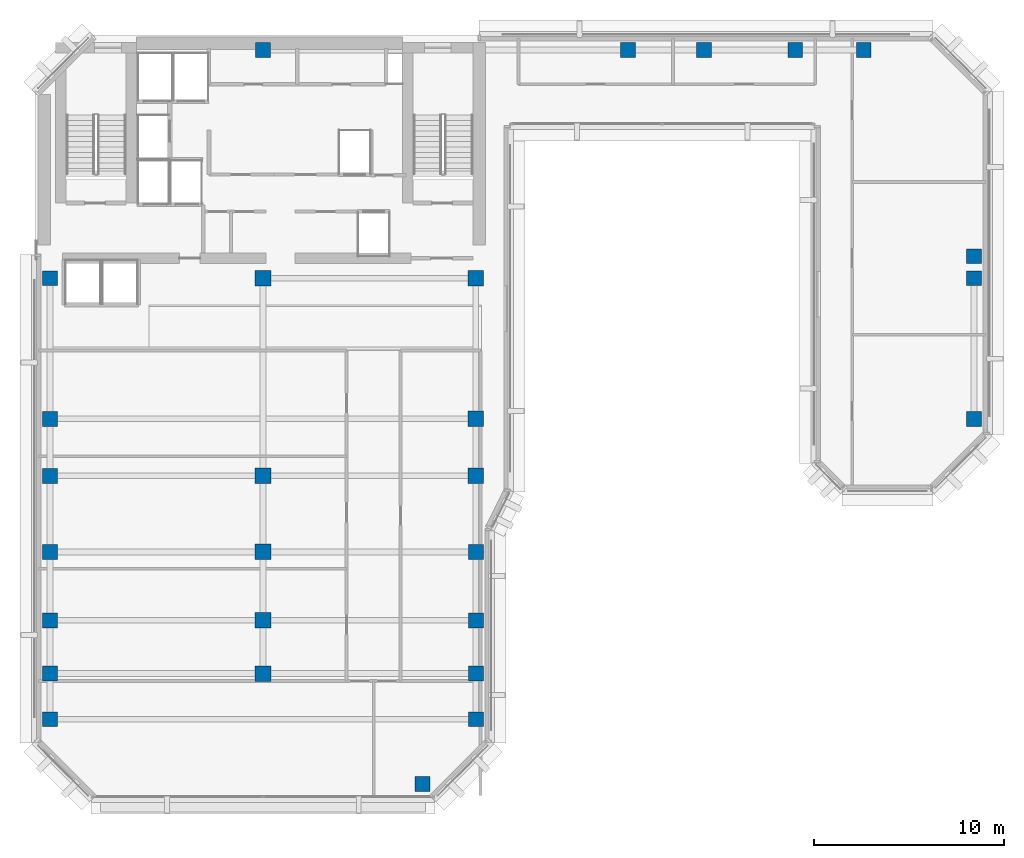
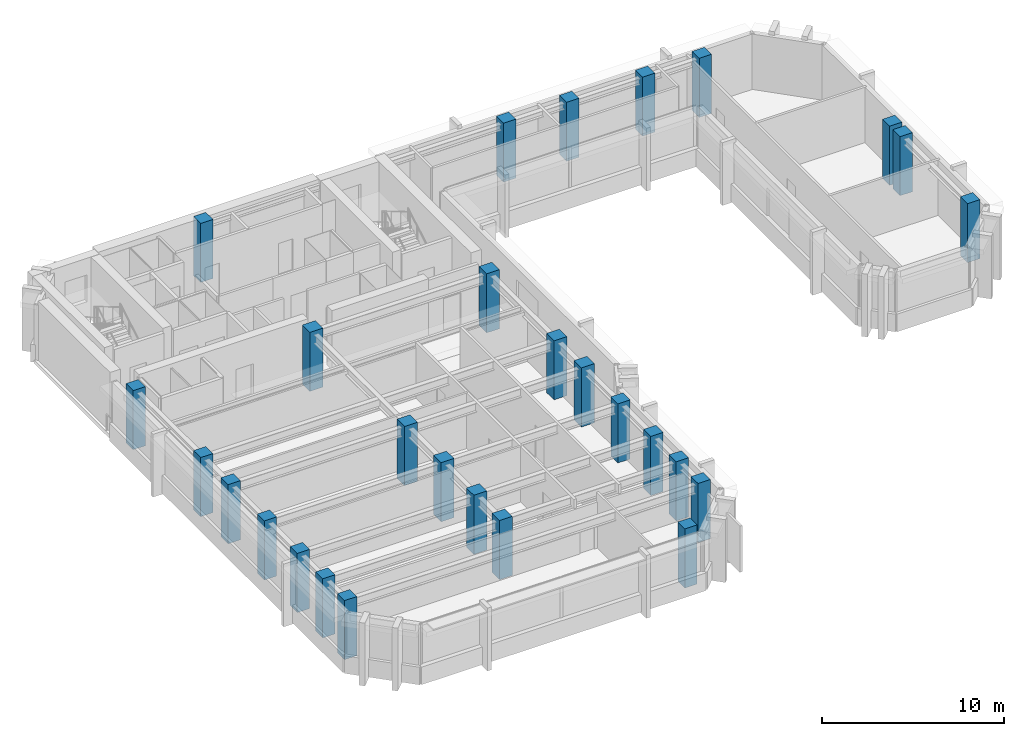
# One storey, part 1 of 11: 28 columns.
"""IFC4 building model written with IfcOpenShell, lengths in metres."""

from ifc_helpers import new_model, si_unit, direction, frame, origin, origin_2d, place, context, subcontext, project, spatial, rectangle, extrude, material, material_profile, profile_set, type_object, element, save


model = new_model("IFC4")

# Units and contexts
model_context = context("Model", 3, precision=1e-05, world=origin(), true_north=direction((0.0, 1.0)))
body_context = subcontext(model_context, "Body", "Model", "MODEL_VIEW")
ifc_project = project(units=[si_unit("LENGTHUNIT", "METRE"), si_unit("AREAUNIT", "SQUARE_METRE"), si_unit("VOLUMEUNIT", "CUBIC_METRE"), si_unit("PLANEANGLEUNIT", "RADIAN"), si_unit("MASSUNIT", "GRAM", prefix="KILO")], contexts=[model_context])

# Site, building, storey
site_placement = place(None, origin())
site = spatial("IfcSite", under=ifc_project, at=site_placement, CompositionType="ELEMENT")
building_placement = place(site_placement, origin())
building = spatial("IfcBuilding", under=site, at=building_placement, Name="Kefirva Bronze Tower", CompositionType="ELEMENT")
storey_placement = place(building_placement, frame((0.0, 0.0, 223.739990234375)))
storey = spatial("IfcBuildingStorey", under=building, at=storey_placement, Name="L54", CompositionType="ELEMENT", Elevation=223.739990234375)

# Columns
ifc_material = material(Name="Concrete C50/60", Category="concrete")
ifc_material_profile_1 = material_profile(ifc_material, rectangle(XDim=0.780029296875, YDim=0.780029296875, at=origin_2d()), Name="RC 780x780")
ifc_profile_set_1 = profile_set([ifc_material_profile_1], Name="Concrete C50/60")
column_type_1 = type_object("IfcColumnType", Name="RC Column 780x780 Ext", PredefinedType="COLUMN", material=ifc_profile_set_1)
for number, where, z_axis, x_axis, name in (
    (1, (0.800048828125, 10.0, 0.0), (0.0, 0.0, 1.0), (1.0, 0.0, 0.0), "L54 Column C008_100"),
    (2, (0.800048828125, 12.39990234375, 0.0), (0.0, 0.0, 1.0), (1.0, 0.0, 0.0), "L54 Column C008_124"),
    (3, (0.800048828125, 15.199951171875, 0.0), (0.0, 0.0, 1.0), (1.0, 0.0, 0.0), "L54 Column C008_152"),
    (4, (0.800048828125, 18.800048828125, 0.0), (0.0, 0.0, 1.0), (1.0, 0.0, 0.0), "L54 Column C008_188"),
    (5, (0.800048828125, 22.800048828125, 0.0), (0.0, 0.0, 1.0), (1.0, 0.0, 0.0), "L54 Column C008_228"),
    (6, (0.800048828125, 25.800048828125, 0.0), (0.0, 0.0, 1.0), (1.0, 0.0, 0.0), "L54 Column C008_258"),
    (7, (0.800048828125, 33.199951171875, 0.0), (0.0, 0.0, 1.0), (1.0, 0.0, 0.0), "L54 Column C008_332"),
    (8, (12.0, 45.199951171875, 0.0), (0.0, 0.0, 1.0), (1.0, 0.0, 0.0), "L54 Column C120_452"),
    (9, (20.39990234375, 6.60009765625, 0.0), (0.0, 0.0, 1.0), (1.0, 0.0, 0.0), "L54 Column C204_066"),
    (10, (23.199951171875, 10.0, 0.0), (0.0, 0.0, 1.0), (1.0, 0.0, 0.0), "L54 Column C232_100"),
    (11, (23.199951171875, 12.39990234375, 0.0), (0.0, 0.0, 1.0), (1.0, 0.0, 0.0), "L54 Column C232_124"),
    (12, (23.199951171875, 15.199951171875, 0.0), (0.0, 0.0, 1.0), (1.0, 0.0, 0.0), "L54 Column C232_152"),
    (13, (23.199951171875, 18.800048828125, 0.0), (0.0, 0.0, 1.0), (1.0, 0.0, 0.0), "L54 Column C232_188"),
    (14, (31.199951171875, 45.199951171875, 0.0), (0.0, 0.0, 1.0), (1.0, 0.0, 0.0), "L54 Column C312_452"),
    (15, (35.199951171875, 45.199951171875, 0.0), (0.0, 0.0, 1.0), (1.0, 0.0, 0.0), "L54 Column C352_452"),
    (16, (40.0, 45.199951171875, 0.0), (0.0, 0.0, 1.0), (1.0, 0.0, 0.0), "L54 Column C400_452"),
    (17, (43.60009765625, 45.199951171875, 0.0), (0.0, 0.0, 1.0), (1.0, 0.0, 0.0), "L54 Column C436_452"),
    (18, (49.39990234375, 25.800048828125, 0.0), (0.0, 0.0, 1.0), (1.0, 0.0, 0.0), "L54 Column C494_258"),
    (19, (49.39990234375, 33.199951171875, 0.0), (0.0, 0.0, 1.0), (1.0, 0.0, 0.0), "L54 Column C494_332"),
    (20, (49.39990234375, 34.35009765625, 0.0), (0.0, 0.0, 1.0), (1.0, 0.0, 0.0), "L54 Column C494_344"),
):
    element("IfcColumn", number, at=place(storey_placement, frame(where, z_axis=z_axis, x_axis=x_axis)), inside=storey, type_object=column_type_1, Name=name, PredefinedType="COLUMN", context=body_context, shape_type="SweptSolid", body=[
        extrude(rectangle(XDim=0.780029296875, YDim=0.780029296875, at=origin_2d()), origin(), (0.0, 0.0, 1.0), 3.9599609375),
    ])
ifc_material_profile_2 = material_profile(ifc_material, rectangle(XDim=0.820068359375, YDim=0.820068359375, at=origin_2d()), Name="RC 820x820")
ifc_profile_set_2 = profile_set([ifc_material_profile_2], Name="Concrete C50/60")
column_type_2 = type_object("IfcColumnType", Name="RC Column 820x820 Int", PredefinedType="COLUMN", material=ifc_profile_set_2)
for number, where, z_axis, x_axis, name in (
    (21, (12.0, 12.39990234375, 0.0), (0.0, 0.0, 1.0), (1.0, 0.0, 0.0), "L54 Column C120_124"),
    (22, (12.0, 15.199951171875, 0.0), (0.0, 0.0, 1.0), (1.0, 0.0, 0.0), "L54 Column C120_152"),
    (23, (12.0, 18.800048828125, 0.0), (0.0, 0.0, 1.0), (1.0, 0.0, 0.0), "L54 Column C120_188"),
    (24, (12.0, 22.800048828125, 0.0), (0.0, 0.0, 1.0), (1.0, 0.0, 0.0), "L54 Column C120_228"),
    (25, (12.0, 33.199951171875, 0.0), (0.0, 0.0, 1.0), (1.0, 0.0, 0.0), "L54 Column C120_332"),
    (26, (23.199951171875, 22.800048828125, 0.0), (0.0, 0.0, 1.0), (1.0, 0.0, 0.0), "L54 Column C232_228"),
    (27, (23.199951171875, 25.800048828125, 0.0), (0.0, 0.0, 1.0), (1.0, 0.0, 0.0), "L54 Column C232_258"),
    (28, (23.199951171875, 33.199951171875, 0.0), (0.0, 0.0, 1.0), (1.0, 0.0, 0.0), "L54 Column C232_332"),
):
    element("IfcColumn", number, at=place(storey_placement, frame(where, z_axis=z_axis, x_axis=x_axis)), inside=storey, type_object=column_type_2, Name=name, PredefinedType="COLUMN", context=body_context, shape_type="SweptSolid", body=[
        extrude(rectangle(XDim=0.820068359375, YDim=0.820068359375, at=origin_2d()), origin(), (0.0, 0.0, 1.0), 3.9599609375),
    ])

save(model, "model.ifc")
